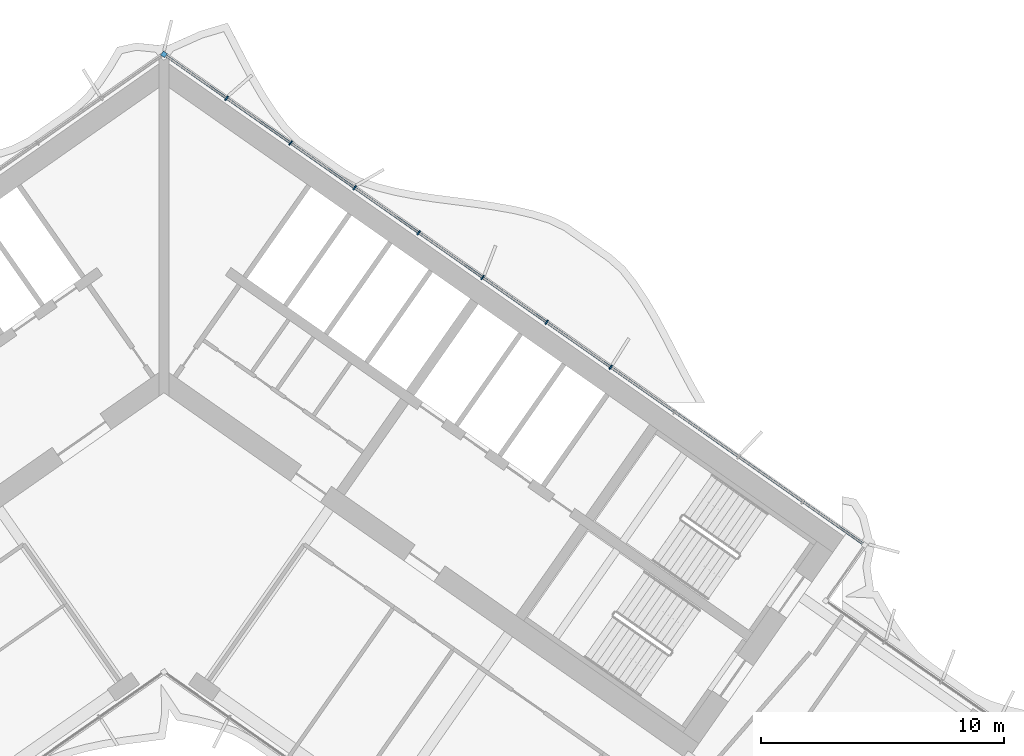
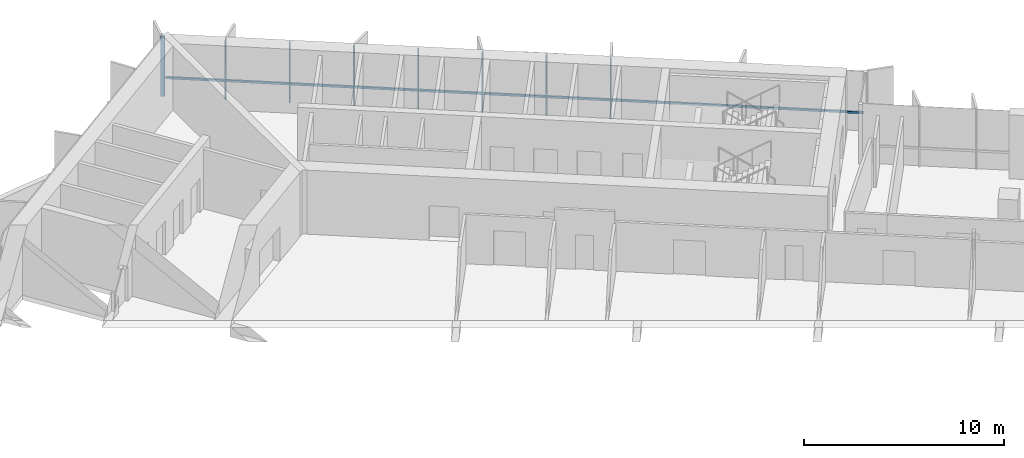
# One storey, part 8 of 21: 9 members, 1 element without a shape of its own.
"""IFC4 building model written with IfcOpenShell, lengths in metres."""

from ifc_helpers import new_model, si_unit, direction, frame, origin, origin_2d, place, context, subcontext, project, spatial, rectangle, extrude, material, material_profile, profile_set, type_object, element, aggregate, save


model = new_model("IFC4")

# Units and contexts
model_context = context("Model", 3, precision=1e-05, world=origin(), true_north=direction((0.0, 1.0)))
body_context = subcontext(model_context, "Body", "Model", "MODEL_VIEW")
ifc_project = project(units=[si_unit("LENGTHUNIT", "METRE"), si_unit("AREAUNIT", "SQUARE_METRE"), si_unit("VOLUMEUNIT", "CUBIC_METRE"), si_unit("PLANEANGLEUNIT", "RADIAN"), si_unit("MASSUNIT", "GRAM", prefix="KILO")], contexts=[model_context])

# Site, building, storey
site_placement = place(None, origin())
site = spatial("IfcSite", under=ifc_project, at=site_placement, CompositionType="ELEMENT")
building_placement = place(site_placement, origin())
building = spatial("IfcBuilding", under=site, at=building_placement, Name="Tel Ilan Convention Tower", CompositionType="ELEMENT")
storey_placement = place(building_placement, frame((0.0, 0.0, 163.199951171875)))
storey = spatial("IfcBuildingStorey", under=building, at=storey_placement, Name="L37", CompositionType="ELEMENT", Elevation=163.199951171875)

# Curtain wall, members
ifc_material_1 = material(Name="Aluminium, bronze anodised", Category="aluminium")
curtain_wall_type = type_object("IfcCurtainWallType", Name="CW2 STICK CURTAIN WALL, SPANDREL PANELS", PredefinedType="NOTDEFINED", material=ifc_material_1)
curtain_wall_placement = place(storey_placement, origin())
curtain_wall = element("IfcCurtainWall", 1, at=curtain_wall_placement, inside=storey, type_object=curtain_wall_type, Name="Curtain wall CW2-29.01", PredefinedType="NOTDEFINED")
ifc_material_2 = material(Name="Aluminium, bronze anodised", Category="aluminium")
ifc_material_profile_1 = material_profile(ifc_material_2, rectangle(XDim=0.199951171875, YDim=0.199951171875, at=origin_2d()), Name="CW CORNER MULLION 200x200")
ifc_profile_set_1 = profile_set([ifc_material_profile_1], Name="Aluminium, bronze anodised")
member_type_1 = type_object("IfcMemberType", Name="CW CORNER MULLION 200x200", PredefinedType="MULLION", material=ifc_profile_set_1)
member_1_placement = place(storey_placement, frame((0.0, 12.696044921875, 0.0), z_axis=(0.0, 0.0, 1.0), x_axis=(-0.819152044289, 0.573576436351, 0.0)))
member_1 = element("IfcMember", 2, at=member_1_placement, type_object=member_type_1, Name="Corner mullion", PredefinedType="MULLION", context=body_context, shape_type="SweptSolid", body=[
    extrude(rectangle(XDim=0.199951171875, YDim=0.199951171875, at=origin_2d()), origin(), (0.0, 0.0, 1.0), 3.6201171875),
])
ifc_material_3 = material(Name="Aluminium, bronze anodised", Category="aluminium")
ifc_material_profile_2 = material_profile(ifc_material_3, rectangle(XDim=0.06005859375, YDim=0.199951171875, at=origin_2d()), Name="CW MULLION 60x200")
ifc_profile_set_2 = profile_set([ifc_material_profile_2], Name="Aluminium, bronze anodised")
member_type_2 = type_object("IfcMemberType", Name="CW MULLION 60x200", PredefinedType="MULLION", material=ifc_profile_set_2)
member_2_placement = place(storey_placement, frame((18.37109375, -0.16748046875, 0.0), z_axis=(0.0, 0.0, 1.0), x_axis=(-0.819152044289, 0.573576436351, 0.0)))
member_2 = element("IfcMember", 3, at=member_2_placement, type_object=member_type_2, Name="Mullion", PredefinedType="MULLION", context=body_context, shape_type="SweptSolid", body=[
    extrude(rectangle(XDim=0.06005859375, YDim=0.199951171875, at=origin_2d()), origin(), (0.0, 0.0, 1.0), 3.6201171875),
])
member_3_placement = place(storey_placement, frame((15.73828125, 1.676025390625, 0.0), z_axis=(0.0, 0.0, 1.0), x_axis=(-0.819152044289, 0.573576436351, 0.0)))
member_3 = element("IfcMember", 4, at=member_3_placement, type_object=member_type_2, Name="Mullion", PredefinedType="MULLION", context=body_context, shape_type="SweptSolid", body=[
    extrude(rectangle(XDim=0.06005859375, YDim=0.199951171875, at=origin_2d()), origin(), (0.0, 0.0, 1.0), 3.6201171875),
])
member_4_placement = place(storey_placement, frame((13.105712890625, 3.519287109375, 0.0), z_axis=(0.0, 0.0, 1.0), x_axis=(-0.819152044289, 0.573576436351, 0.0)))
member_4 = element("IfcMember", 5, at=member_4_placement, type_object=member_type_2, Name="Mullion", PredefinedType="MULLION", context=body_context, shape_type="SweptSolid", body=[
    extrude(rectangle(XDim=0.06005859375, YDim=0.199951171875, at=origin_2d()), origin(), (0.0, 0.0, 1.0), 3.6201171875),
])
member_5_placement = place(storey_placement, frame((10.47314453125, 5.36279296875, 0.0), z_axis=(0.0, 0.0, 1.0), x_axis=(-0.819152044289, 0.573576436351, 0.0)))
member_5 = element("IfcMember", 6, at=member_5_placement, type_object=member_type_2, Name="Mullion", PredefinedType="MULLION", context=body_context, shape_type="SweptSolid", body=[
    extrude(rectangle(XDim=0.06005859375, YDim=0.199951171875, at=origin_2d()), origin(), (0.0, 0.0, 1.0), 3.6201171875),
])
member_6_placement = place(storey_placement, frame((7.840576171875, 7.2060546875, 0.0), z_axis=(0.0, 0.0, 1.0), x_axis=(-0.819152044289, 0.573576436351, 0.0)))
member_6 = element("IfcMember", 7, at=member_6_placement, type_object=member_type_2, Name="Mullion", PredefinedType="MULLION", context=body_context, shape_type="SweptSolid", body=[
    extrude(rectangle(XDim=0.06005859375, YDim=0.199951171875, at=origin_2d()), origin(), (0.0, 0.0, 1.0), 3.6201171875),
])
member_7_placement = place(storey_placement, frame((5.207763671875, 9.049560546875, 0.0), z_axis=(0.0, 0.0, 1.0), x_axis=(-0.819152044289, 0.573576436351, 0.0)))
member_7 = element("IfcMember", 8, at=member_7_placement, type_object=member_type_2, Name="Mullion", PredefinedType="MULLION", context=body_context, shape_type="SweptSolid", body=[
    extrude(rectangle(XDim=0.06005859375, YDim=0.199951171875, at=origin_2d()), origin(), (0.0, 0.0, 1.0), 3.6201171875),
])
member_8_placement = place(storey_placement, frame((2.5751953125, 10.892822265625, 0.0), z_axis=(0.0, 0.0, 1.0), x_axis=(-0.819152044289, 0.573576436351, 0.0)))
member_8 = element("IfcMember", 9, at=member_8_placement, type_object=member_type_2, Name="Mullion", PredefinedType="MULLION", context=body_context, shape_type="SweptSolid", body=[
    extrude(rectangle(XDim=0.06005859375, YDim=0.199951171875, at=origin_2d()), origin(), (0.0, 0.0, 1.0), 3.6201171875),
])
ifc_material_4 = material(Name="Aluminium, bronze anodised", Category="aluminium")
ifc_material_profile_3 = material_profile(ifc_material_4, rectangle(XDim=0.10009765625, YDim=0.1201171875, at=origin_2d()), Name="CW TRANSOM 100x120")
ifc_profile_set_3 = profile_set([ifc_material_profile_3], Name="Aluminium, bronze anodised")
member_type_3 = type_object("IfcMemberType", Name="CW TRANSOM 100x120", PredefinedType="USERDEFINED", material=ifc_profile_set_3)
member_9_placement = place(storey_placement, frame((28.737548828125, -7.42626953125, 1.10009765625), z_axis=(-0.819150201937, 0.573579067494, 0.0), x_axis=(-0.573579067494, -0.819150201937, 0.0)))
member_9 = element("IfcMember", 10, at=member_9_placement, type_object=member_type_3, Name="Transom", ObjectType="TRANSOM", PredefinedType="USERDEFINED", context=body_context, shape_type="SweptSolid", body=[
    extrude(rectangle(XDim=0.10009765625, YDim=0.1201171875, at=origin_2d()), origin(), (0.0, 0.0, 1.0), 34.9521484375),
])
aggregate(curtain_wall, [member_2, member_3, member_4, member_5, member_6, member_7, member_8, member_1, member_9])

save(model, "model.ifc")
